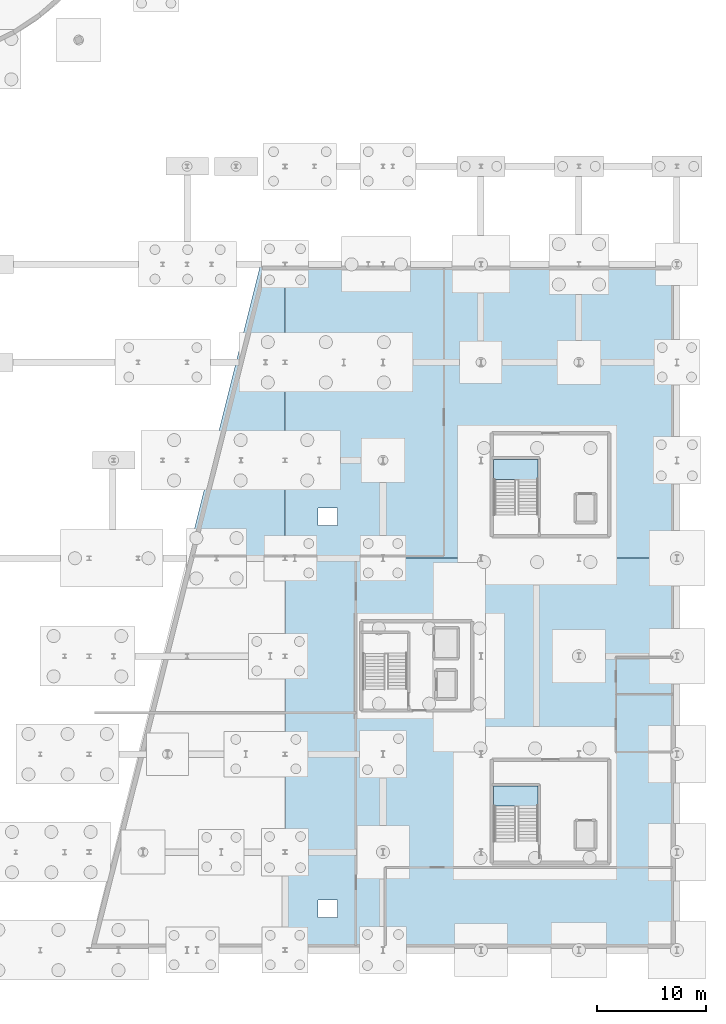
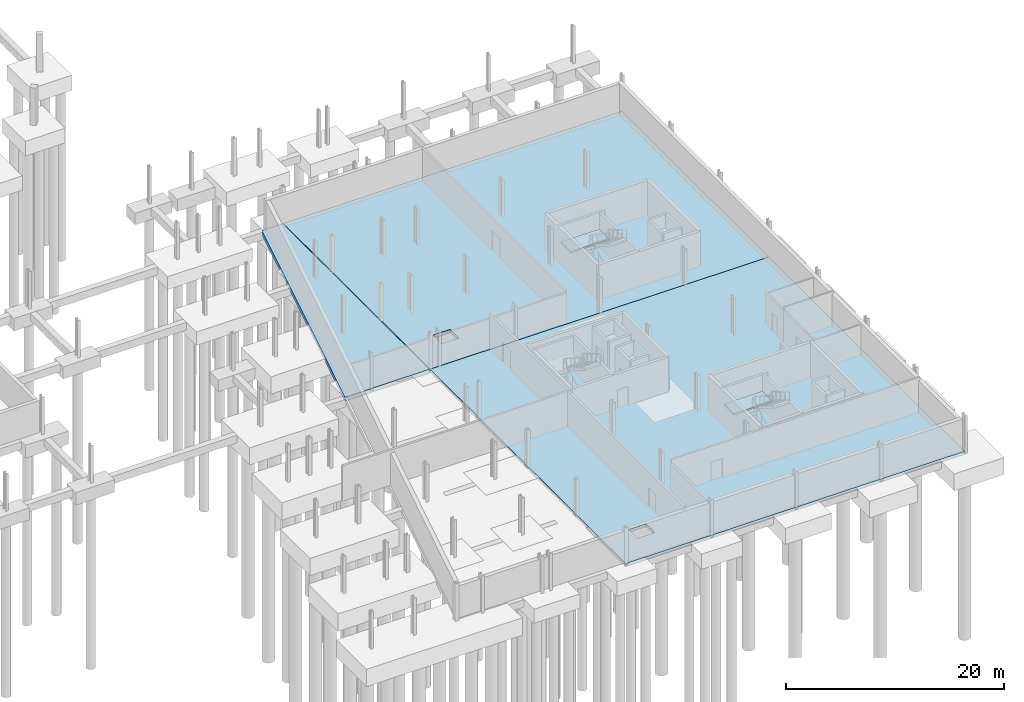
# One storey, part 31 of 42: 5 slabs, 2 elements without a shape of their own.
"""IFC4 building model written with IfcOpenShell, lengths in metres."""

import ifcopenshell
import ifcopenshell.guid

model = None  # the IFC model being written
_history = None  # IfcOwnerHistory: only IFC2X3 demands one
_inside = {}  # id of a spatial element -> (the spatial element, [elements in it])
_under = {}  # id of a project, library or spatial element -> (it, [spatial elements below it])
_declared = {}  # id of a project -> (the project, [libraries it declares])
_typed = {}  # id of a type object -> (the type object, [elements of that type])
_made_of = {}  # id of a material, layer set ... -> (it, [elements and type objects made of it])


def new_model(schema):
    """Start an empty IFC model of exactly this schema.

    Asked for "IFC4X3", IfcOpenShell would pick the latest addendum, in which some entities
    have other attributes; the version numbers below select the first issue.
    IFC2X3 requires an IfcOwnerHistory on every rooted entity: one is made here for all.
    """
    global model, _history
    if schema == "IFC4X3":
        model = ifcopenshell.file(schema_version=(4, 3, 0, 0))
    else:
        model = ifcopenshell.file(schema=schema)
    _inside.clear()
    _under.clear()
    _declared.clear()
    _typed.clear()
    _made_of.clear()
    _history = None
    if model.schema == "IFC2X3":
        org = make("IfcOrganization", Name="unknown")
        user = make(
            "IfcPersonAndOrganization",
            ThePerson=make("IfcPerson", FamilyName="unknown"),
            TheOrganization=org,
        )
        app = make(
            "IfcApplication",
            ApplicationDeveloper=org,
            Version="unknown",
            ApplicationFullName="unknown",
            ApplicationIdentifier="unknown",
        )
        _history = make(
            "IfcOwnerHistory",
            OwningUser=user,
            OwningApplication=app,
            ChangeAction="ADDED",
            CreationDate=0,
        )
    return model


def make(cls, **values):
    """One entity of the class cls with the attributes given. An attribute that is None is left unset."""
    return model.create_entity(
        cls, **{name: value for name, value in values.items() if value is not None}
    )


def rooted(cls, **values):
    """An entity with a GlobalId (a new one), such as an element, a storey or a relation."""
    return make(cls, GlobalId=ifcopenshell.guid.new(), OwnerHistory=_history, **values)


def si_unit(unit_type, name, prefix=None):
    """IfcSIUnit, for example si_unit("LENGTHUNIT", "METRE", prefix="MILLI")."""
    return make("IfcSIUnit", UnitType=unit_type, Prefix=prefix, Name=name)


def assignment(units):
    """IfcUnitAssignment: the units of a project."""
    return None if units is None else make("IfcUnitAssignment", Units=units)


def point(xyz):
    """IfcCartesianPoint."""
    return None if xyz is None else make("IfcCartesianPoint", Coordinates=xyz)


def direction(xyz):
    """IfcDirection."""
    return None if xyz is None else make("IfcDirection", DirectionRatios=xyz)


def frame(location, z_axis=None, x_axis=None):
    """IfcAxis2Placement3D, a coordinate frame: its origin and axes. An axis left out is left unset."""
    return make(
        "IfcAxis2Placement3D",
        Location=point(location),
        Axis=direction(z_axis),
        RefDirection=direction(x_axis),
    )


def origin():
    """The frame at (0, 0, 0) with its axes left unset."""
    return frame((0.0, 0.0, 0.0))


def place(relative_to, where):
    """IfcLocalPlacement: puts the frame where relative to a parent placement (None: the world)."""
    return make(
        "IfcLocalPlacement", PlacementRelTo=relative_to, RelativePlacement=where
    )


def context(
    kind, dimensions, precision=None, world=None, true_north=None, identifier=None
):
    """IfcGeometricRepresentationContext, for example the 3D "Model" context."""
    return make(
        "IfcGeometricRepresentationContext",
        ContextIdentifier=identifier,
        ContextType=kind,
        CoordinateSpaceDimension=dimensions,
        Precision=precision,
        WorldCoordinateSystem=world,
        TrueNorth=true_north,
    )


def subcontext(parent, identifier, kind, view, scale=None):
    """IfcGeometricRepresentationSubContext, for example "Body" below "Model"."""
    return make(
        "IfcGeometricRepresentationSubContext",
        ContextIdentifier=identifier,
        ContextType=kind,
        ParentContext=parent,
        TargetScale=scale,
        TargetView=view,
    )


def project(units=None, contexts=None):
    """IfcProject with its units and contexts."""
    return rooted(
        "IfcProject",
        Name="project",
        RepresentationContexts=contexts,
        UnitsInContext=assignment(units),
    )


def spatial(cls, under=None, at=None, **own):
    """A site, building, storey or space (cls), placed at a placement, below another one or the project."""
    s = rooted(cls, ObjectPlacement=at, **own)
    if under is not None:
        _under.setdefault(under.id(), (under, []))[1].append(s)
    return s


def polyline(points):
    """IfcPolyline through the points."""
    return make("IfcPolyline", Points=[point(p) for p in points])


def outline(outer, holes=None, kind="AREA"):
    """IfcArbitraryClosedProfileDef: a profile drawn as a closed curve; with holes, ...WithVoids."""
    if holes is None:
        return make("IfcArbitraryClosedProfileDef", ProfileType=kind, OuterCurve=outer)
    return make(
        "IfcArbitraryProfileDefWithVoids",
        ProfileType=kind,
        OuterCurve=outer,
        InnerCurves=holes,
    )


def extrude(swept, where, along, depth):
    """IfcExtrudedAreaSolid: the profile swept, set in the frame where, extruded along a direction by depth."""
    return make(
        "IfcExtrudedAreaSolid",
        SweptArea=swept,
        Position=where,
        ExtrudedDirection=direction(along),
        Depth=depth,
    )


def shape(context_of_items, identifier, shape_type, items):
    """IfcShapeRepresentation: the items that make up one representation, for example the "Body"."""
    return make(
        "IfcShapeRepresentation",
        ContextOfItems=context_of_items,
        RepresentationIdentifier=identifier,
        RepresentationType=shape_type,
        Items=items,
    )


def material(Name=None, Category=None):
    """IfcMaterial."""
    return make("IfcMaterial", Name=Name, Category=Category)


def layer(
    of_material, thickness, ventilated=None, Name=None, Category=None, Priority=None
):
    """IfcMaterialLayer: one layer of a wall or slab, of a material (None: an air gap)."""
    return make(
        "IfcMaterialLayer",
        Material=of_material,
        LayerThickness=thickness,
        IsVentilated=ventilated,
        Name=Name,
        Category=Category,
        Priority=Priority,
    )


def layer_set(layers, Name=None):
    """IfcMaterialLayerSet."""
    return make("IfcMaterialLayerSet", MaterialLayers=layers, LayerSetName=Name)


def made_of(thing, what):
    """Note that an element or type object is made of a material, layer set ...; save() writes the relation."""
    if what is not None:
        _made_of.setdefault(what.id(), (what, []))[1].append(thing)
    return thing


def type_object(cls, material=None, **own):
    """A type object (cls), such as IfcWallType, which elements share."""
    return made_of(rooted(cls, **own), material)


def element(
    cls,
    number,
    at=None,
    inside=None,
    cuts=None,
    type_object=None,
    material=None,
    context=None,
    identifier="Body",
    shape_type=None,
    held_by="IfcProductDefinitionShape",
    body=None,
    shapes=None,
    **own,
):
    """One element of the class cls, such as IfcWall. Its Tag is "e" and its number.

    at: its placement. inside: the storey or other place that contains it. cuts: it is an
    opening in that element (IfcRelVoidsElement). A single representation is given by context,
    identifier, shape_type and body (its items); several are given by shapes. held_by: the class
    of the entity that holds the representations. save() writes the other relations.
    """
    e = rooted(cls, Tag="e%d" % number, ObjectPlacement=at, **own)
    if body is not None:
        shapes = [shape(context, identifier, shape_type, body)]
    if shapes is not None:
        e.Representation = make(held_by, Representations=shapes)
    if inside is not None:
        _inside.setdefault(inside.id(), (inside, []))[1].append(e)
    if cuts is not None:
        rooted(
            "IfcRelVoidsElement", RelatingBuildingElement=cuts, RelatedOpeningElement=e
        )
    if type_object is not None:
        _typed.setdefault(type_object.id(), (type_object, []))[1].append(e)
    return made_of(e, material)


def aggregate(whole, parts):
    """IfcRelAggregates: a whole, such as a stair, and the parts it consists of."""
    return rooted("IfcRelAggregates", RelatingObject=whole, RelatedObjects=parts)


def save(model, path):
    """Write the relations noted so far, then the file.

    IfcRelAggregates (storeys below a building ...), IfcRelContainedInSpatialStructure (elements
    in a storey), IfcRelDefinesByType, IfcRelAssociatesMaterial and IfcRelDeclares: one each for
    every whole, place, type object, material and project.
    """
    for whole, parts in _under.values():
        aggregate(whole, parts)
    for where, things in _inside.values():
        rooted(
            "IfcRelContainedInSpatialStructure",
            RelatedElements=things,
            RelatingStructure=where,
        )
    for kind, things in _typed.values():
        rooted("IfcRelDefinesByType", RelatedObjects=things, RelatingType=kind)
    for what, things in _made_of.values():
        rooted("IfcRelAssociatesMaterial", RelatedObjects=things, RelatingMaterial=what)
    for by, libraries in _declared.values():
        rooted("IfcRelDeclares", RelatingContext=by, RelatedDefinitions=libraries)
    model.write(path)


model = new_model("IFC4")

# Units and contexts
model_context = context("Model", 3, precision=1e-05, world=origin(), true_north=direction((0.0, 1.0)))
body_context = subcontext(model_context, "Body", "Model", "MODEL_VIEW")
ifc_project = project(units=[si_unit("LENGTHUNIT", "METRE"), si_unit("AREAUNIT", "SQUARE_METRE"), si_unit("VOLUMEUNIT", "CUBIC_METRE"), si_unit("PLANEANGLEUNIT", "RADIAN"), si_unit("MASSUNIT", "GRAM", prefix="KILO")], contexts=[model_context])

# Site, building, storey
site_placement = place(None, origin())
site = spatial("IfcSite", under=ifc_project, at=site_placement, CompositionType="ELEMENT")
building_placement = place(site_placement, origin())
building = spatial("IfcBuilding", under=site, at=building_placement, Name="Deido Ridge Mobility Hub", CompositionType="ELEMENT")
storey_placement = place(building_placement, frame((0.0, 0.0, -4.199951171875)))
storey = spatial("IfcBuildingStorey", under=building, at=storey_placement, Name="B1", CompositionType="ELEMENT", Elevation=-4.199951171875)

# Slabs
ifc_material_1 = material(Name="Concrete C40/50", Category="concrete")
ifc_layer_1 = layer(ifc_material_1, 0.35009765625, Name="Concrete C40/50")
ifc_layer_set_1 = layer_set([ifc_layer_1], Name="Concrete C40/50")
slab_type_1 = type_object("IfcSlabType", Name="SLB-BASE-350", PredefinedType="BASESLAB", material=ifc_layer_set_1)
slab_1_placement = place(storey_placement, frame((0.0, 0.0, -0.35009765625)))
element("IfcSlab", 1, at=slab_1_placement, inside=storey, type_object=slab_type_1, Name="B1 V6 structural deck 8", PredefinedType="BASESLAB", context=body_context, shape_type="SweptSolid", body=[
    extrude(outline(polyline([(180.0, 36.0), (180.0, 0.0), (144.02490234375, 0.0), (144.02490234375, 36.0), (180.0, 36.0)]), holes=[polyline([(147.02490234375, 4.60009765625), (148.824951171875, 4.60009765625), (148.824951171875, 3.0), (147.02490234375, 3.0), (147.02490234375, 4.60009765625)])]), origin(), (0.0, 0.0, 1.0), 0.35009765625),
])
ifc_layer_2 = layer(ifc_material_1, 0.39990234375, Name="Concrete C40/50")
ifc_layer_set_2 = layer_set([ifc_layer_2], Name="Concrete C40/50")
slab_type_2 = type_object("IfcSlabType", Name="SLB-BASE-400", PredefinedType="BASESLAB", material=ifc_layer_set_2)
slab_2_placement = place(storey_placement, frame((0.0, 0.0, -0.400146484375)))
element("IfcSlab", 2, at=slab_2_placement, inside=storey, type_object=slab_type_2, Name="B1 V6 structural deck 10", PredefinedType="BASESLAB", context=body_context, shape_type="SweptSolid", body=[
    extrude(outline(polyline([(180.0, 63.0), (180.0, 36.0), (144.02490234375, 36.0), (144.02490234375, 63.0), (180.0, 63.0)]), holes=[polyline([(147.02490234375, 40.60009765625), (148.824951171875, 40.60009765625), (148.824951171875, 39.0), (147.02490234375, 39.0), (147.02490234375, 40.60009765625)])]), origin(), (0.0, 0.0, 1.0), 0.400146484375),
])
ifc_layer_3 = layer(ifc_material_1, 0.449951171875, Name="Concrete C40/50")
ifc_layer_set_3 = layer_set([ifc_layer_3], Name="Concrete C40/50")
slab_type_3 = type_object("IfcSlabType", Name="SLB-BASE-450", PredefinedType="BASESLAB", material=ifc_layer_set_3)
slab_3_placement = place(storey_placement, frame((0.0, 0.0, -0.449951171875)))
element("IfcSlab", 3, at=slab_3_placement, inside=storey, type_object=slab_type_3, Name="B1 V6 structural deck 9", PredefinedType="BASESLAB", context=body_context, shape_type="SweptSolid", body=[
    extrude(outline(polyline([(143.97509765625, 63.0), (143.97509765625, 36.0), (135.0, 36.0), (141.75, 63.0), (143.97509765625, 63.0)])), origin(), (0.0, 0.0, 1.0), 0.449951171875),
])

# Stair, slab
ifc_material_2 = material(Name="Concrete C35/45", Category="concrete")
stair_type = type_object("IfcStairType", Name="ST-CORE-HALF-1520", PredefinedType="HALF_TURN_STAIR", material=ifc_material_2)
stair_1_placement = place(storey_placement, origin())
stair_1 = element("IfcStair", 4, at=stair_1_placement, inside=storey, type_object=stair_type, Name="Protected exit stair ST1 (B1)", PredefinedType="HALF_TURN_STAIR")
ifc_layer_4 = layer(ifc_material_2, 0.199951171875, Name="Concrete C35/45")
ifc_layer_set_4 = layer_set([ifc_layer_4], Name="Concrete C35/45")
slab_type_4 = type_object("IfcSlabType", Name="SLB-STLND-200", PredefinedType="LANDING", material=ifc_layer_set_4)
slab_4_placement = place(storey_placement, frame((0.0, 0.0, 1.89990234375)))
slab_4 = element("IfcSlab", 5, at=slab_4_placement, type_object=slab_type_4, Name="ST1 landing 1", PredefinedType="LANDING", context=body_context, shape_type="SweptSolid", body=[
    extrude(outline(polyline([(163.16259765625, 13.25), (167.235107421875, 13.25), (167.235107421875, 15.074951171875), (163.16259765625, 15.074951171875), (163.16259765625, 13.25)])), origin(), (0.0, 0.0, 1.0), 0.199951171875),
])
aggregate(stair_1, [slab_4])

stair_2_placement = place(storey_placement, origin())
stair_2 = element("IfcStair", 6, at=stair_2_placement, inside=storey, type_object=stair_type, Name="Protected exit stair ST2 (B1)", PredefinedType="HALF_TURN_STAIR")
slab_5_placement = place(storey_placement, frame((0.0, 0.0, 1.89990234375)))
slab_5 = element("IfcSlab", 7, at=slab_5_placement, type_object=slab_type_4, Name="ST2 landing 1", PredefinedType="LANDING", context=body_context, shape_type="SweptSolid", body=[
    extrude(outline(polyline([(163.16259765625, 43.25), (167.235107421875, 43.25), (167.235107421875, 45.074951171875), (163.16259765625, 45.074951171875), (163.16259765625, 43.25)])), origin(), (0.0, 0.0, 1.0), 0.199951171875),
])
aggregate(stair_2, [slab_5])

save(model, "model.ifc")
